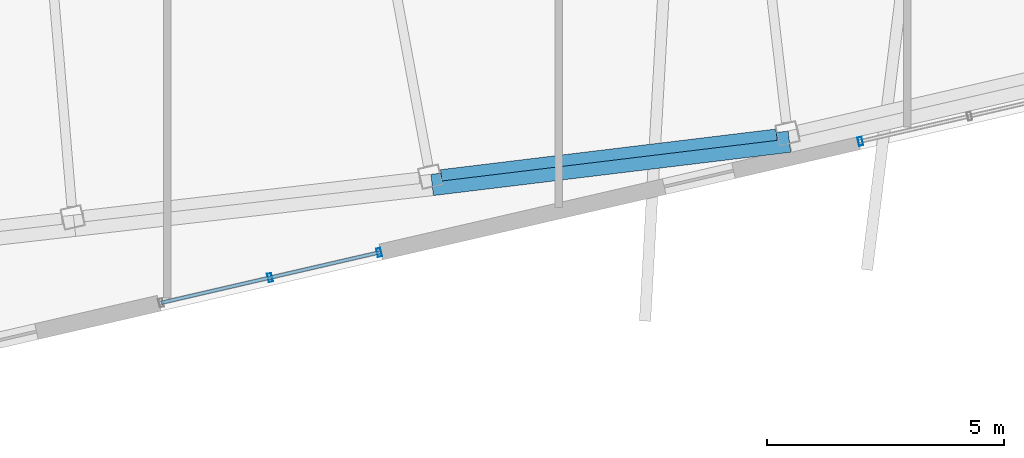
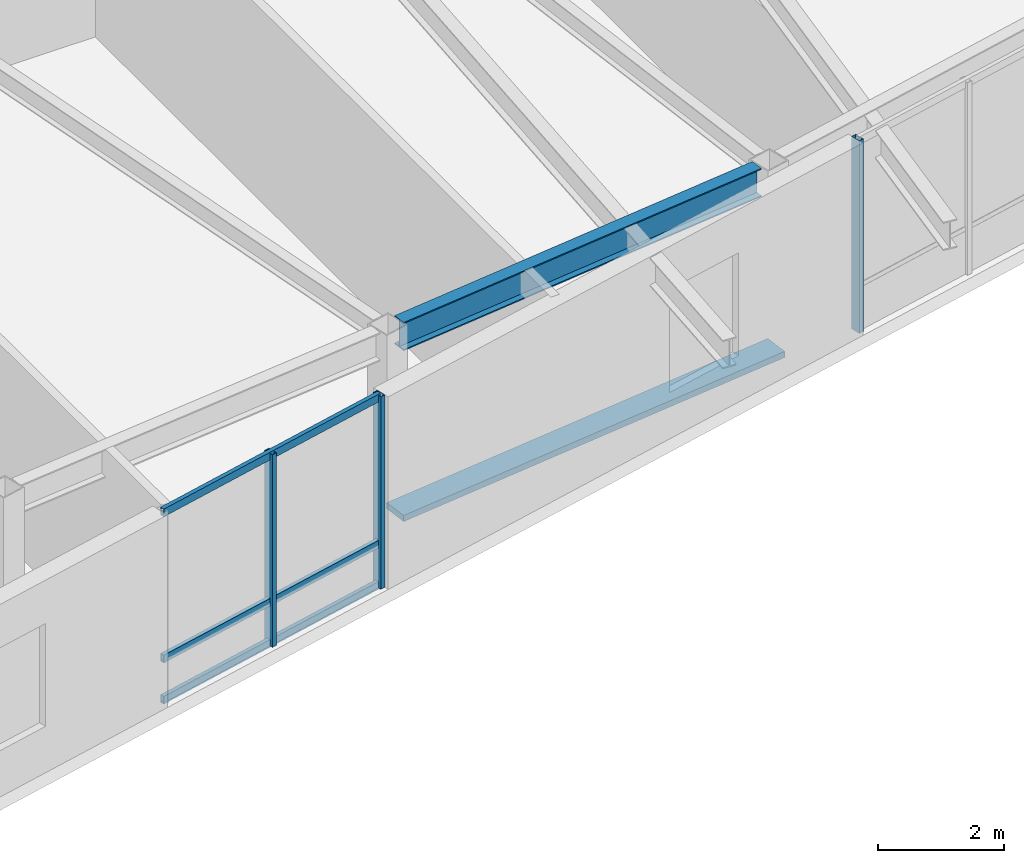
# One storey, part 7 of 24: 7 members, 1 beam, 2 elements without a shape of their own.
"""IFC4 building model written with IfcOpenShell, lengths in metres."""

from ifc_helpers import new_model, si_unit, direction, frame, origin, origin_2d, place, context, subcontext, project, spatial, rectangle, hollow_rectangle, i_section, extrude, material, layer, layer_set, material_profile, profile_set, type_object, element, aggregate, save


model = new_model("IFC4")

# Units and contexts
model_context = context("Model", 3, precision=1e-05, world=origin(), true_north=direction((0.0, 1.0)))
body_context = subcontext(model_context, "Body", "Model", "MODEL_VIEW")
ifc_project = project(units=[si_unit("LENGTHUNIT", "METRE"), si_unit("AREAUNIT", "SQUARE_METRE"), si_unit("VOLUMEUNIT", "CUBIC_METRE"), si_unit("PLANEANGLEUNIT", "RADIAN"), si_unit("MASSUNIT", "GRAM", prefix="KILO")], contexts=[model_context])

# Site, building, storey
site_placement = place(None, origin())
site = spatial("IfcSite", under=ifc_project, at=site_placement, CompositionType="ELEMENT")
building_placement = place(site_placement, origin())
building = spatial("IfcBuilding", under=site, at=building_placement, Name="Tavrogorsk Clinical Tower", CompositionType="ELEMENT")
storey_placement = place(building_placement, frame((0.0, 0.0, 321.0)))
storey = spatial("IfcBuildingStorey", under=building, at=storey_placement, Name="L75", CompositionType="ELEMENT", Elevation=321.0)

# Member
ifc_material_1 = material(Name="Anodised aluminium alloy AW-6063", Category="aluminium")
ifc_material_profile_1 = material_profile(ifc_material_1, rectangle(XDim=0.449951171875, YDim=0.1201171875, at=origin_2d()), Name="ALU-SUNSHADE-450x120")
ifc_profile_set_1 = profile_set([ifc_material_profile_1], Name="Anodised aluminium alloy AW-6063")
member_type_1 = type_object("IfcMemberType", Name="ChicagoSunshade_450x120", PredefinedType="USERDEFINED", material=ifc_profile_set_1)
member_1_placement = place(storey_placement, frame((-1.217041015625, -23.485107421875, 0.179931640625), z_axis=(0.992736345015, 0.120310221037, 0.0), x_axis=(-0.120310221037, 0.992736345015, 0.0)))
element("IfcMember", 1, at=member_1_placement, inside=storey, type_object=member_type_1, Name="L75 South Aluminium Sunshade S4", ObjectType="SUNSHADE", PredefinedType="USERDEFINED", context=body_context, shape_type="SweptSolid", body=[
    extrude(rectangle(XDim=0.449951171875, YDim=0.1201171875, at=origin_2d()), origin(), (0.0, 0.0, 1.0), 7.58544921875),
])

# Curtain wall, members
ifc_material_2 = material(Name="Anodised aluminium and triple IGU glazing", Category="aluminium")
ifc_layer = layer(ifc_material_2, 0.179931640625)
ifc_layer_set = layer_set([ifc_layer], Name="Anodised aluminium and triple IGU glazing")
curtain_wall_type = type_object("IfcCurtainWallType", Name="CW3_SouthSlot", PredefinedType="NOTDEFINED", material=ifc_layer_set)
curtain_wall_1_placement = place(storey_placement, origin())
curtain_wall_1 = element("IfcCurtainWall", 2, at=curtain_wall_1_placement, inside=storey, type_object=curtain_wall_type, Name="L75 Curtain Wall CW-L75-S-SLOT-1", PredefinedType="NOTDEFINED")
ifc_material_3 = material(Name="Anodised aluminium alloy AW-6060", Category="aluminium")
ifc_material_profile_2 = material_profile(ifc_material_3, hollow_rectangle(XDim=0.090087890625, YDim=0.179931640625, WallThickness=0.00634765625, at=origin_2d()), Name="RHS-180x90x6.3")
ifc_profile_set_2 = profile_set([ifc_material_profile_2], Name="Anodised aluminium alloy AW-6060")
member_type_2 = type_object("IfcMemberType", Name="CwMullion_180x90", PredefinedType="MULLION", material=ifc_profile_set_2)
member_2_placement = place(storey_placement, frame((-4.633544921875, -25.438232421875, 0.0), z_axis=(0.0, 0.0, 1.0), x_axis=(0.974370057377, 0.224951086434, 0.0)))
member_2 = element("IfcMember", 3, at=member_2_placement, type_object=member_type_2, Name="CW-L75-S-SLOT-1 Mullion 2", PredefinedType="MULLION", context=body_context, shape_type="SweptSolid", body=[
    extrude(hollow_rectangle(XDim=0.090087890625, YDim=0.179931640625, WallThickness=0.00634765625, at=origin_2d()), origin(), (0.0, 0.0, 1.0), 3.739990234375),
])
member_3_placement = place(storey_placement, frame((-2.3349609375, -24.90771484375, 0.0), z_axis=(0.0, 0.0, 1.0), x_axis=(0.974370057377, 0.224951086434, 0.0)))
member_3 = element("IfcMember", 4, at=member_3_placement, type_object=member_type_2, Name="CW-L75-S-SLOT-1 Mullion 3", PredefinedType="MULLION", context=body_context, shape_type="SweptSolid", body=[
    extrude(hollow_rectangle(XDim=0.090087890625, YDim=0.179931640625, WallThickness=0.00634765625, at=origin_2d()), origin(), (0.0, 0.0, 1.0), 3.739990234375),
])

# Curtain wall, member
curtain_wall_2_placement = place(storey_placement, origin())
curtain_wall_2 = element("IfcCurtainWall", 5, at=curtain_wall_2_placement, inside=storey, type_object=curtain_wall_type, Name="L75 Curtain Wall CW-L75-S-SLOT-2", PredefinedType="NOTDEFINED")
member_4_placement = place(storey_placement, frame((7.80810546875, -22.56591796875, 0.0), z_axis=(0.0, 0.0, 1.0), x_axis=(0.974370057377, 0.224951086434, 0.0)))
member_4 = element("IfcMember", 6, at=member_4_placement, type_object=member_type_2, Name="CW-L75-S-SLOT-2 Mullion 1", PredefinedType="MULLION", context=body_context, shape_type="SweptSolid", body=[
    extrude(hollow_rectangle(XDim=0.090087890625, YDim=0.179931640625, WallThickness=0.00634765625, at=origin_2d()), origin(), (0.0, 0.0, 1.0), 3.739990234375),
])
aggregate(curtain_wall_2, [member_4])

# Member
ifc_material_4 = material(Name="Anodised aluminium alloy AW-6060", Category="aluminium")
ifc_material_profile_3 = material_profile(ifc_material_4, hollow_rectangle(XDim=0.074951171875, YDim=0.14990234375, WallThickness=0.0048828125, at=origin_2d()), Name="RHS-150x75x5")
ifc_profile_set_3 = profile_set([ifc_material_profile_3], Name="Anodised aluminium alloy AW-6060")
member_type_3 = type_object("IfcMemberType", Name="CwTransom_150x75", PredefinedType="USERDEFINED", material=ifc_profile_set_3)
member_5_placement = place(storey_placement, frame((-6.93212890625, -25.968994140625, 0.050048828125), z_axis=(0.974372877948, 0.22493886885, 0.0), x_axis=(-0.22493886885, 0.974372877948, 0.0)))
member_5 = element("IfcMember", 7, at=member_5_placement, type_object=member_type_3, Name="CW-L75-S-SLOT-1 Transom 1", ObjectType="TRANSOM", PredefinedType="USERDEFINED", context=body_context, shape_type="SweptSolid", body=[
    extrude(hollow_rectangle(XDim=0.074951171875, YDim=0.14990234375, WallThickness=0.0048828125, at=origin_2d()), origin(), (0.0, 0.0, 1.0), 4.718017578125),
])

member_6_placement = place(storey_placement, frame((-6.93212890625, -25.968994140625, 0.85009765625), z_axis=(0.974372877948, 0.22493886885, 0.0), x_axis=(-0.22493886885, 0.974372877948, 0.0)))
member_6 = element("IfcMember", 8, at=member_6_placement, type_object=member_type_3, Name="CW-L75-S-SLOT-1 Transom 2", ObjectType="TRANSOM", PredefinedType="USERDEFINED", context=body_context, shape_type="SweptSolid", body=[
    extrude(hollow_rectangle(XDim=0.074951171875, YDim=0.14990234375, WallThickness=0.0048828125, at=origin_2d()), origin(), (0.0, 0.0, 1.0), 4.718017578125),
])

member_7_placement = place(storey_placement, frame((-6.93212890625, -25.968994140625, 3.68994140625), z_axis=(0.974372877948, 0.22493886885, 0.0), x_axis=(-0.22493886885, 0.974372877948, 0.0)))
member_7 = element("IfcMember", 9, at=member_7_placement, type_object=member_type_3, Name="CW-L75-S-SLOT-1 Transom 3", ObjectType="TRANSOM", PredefinedType="USERDEFINED", context=body_context, shape_type="SweptSolid", body=[
    extrude(hollow_rectangle(XDim=0.074951171875, YDim=0.14990234375, WallThickness=0.0048828125, at=origin_2d()), origin(), (0.0, 0.0, 1.0), 4.718017578125),
])

aggregate(curtain_wall_1, [member_2, member_3, member_5, member_6, member_7])

# Beam
ifc_material_5 = material(Name="Structural steel S390", Category="steel")
ifc_material_profile_4 = material_profile(ifc_material_5, i_section(OverallWidth=0.239990234375, OverallDepth=0.550048828125, WebThickness=0.013916015625, FlangeThickness=0.02197265625, at=origin_2d()), Name="B-550x240x14x22")
ifc_profile_set_4 = profile_set([ifc_material_profile_4], Name="Structural steel S390")
beam_type = type_object("IfcBeamType", Name="SpandrelBeam_B550", PredefinedType="SPANDREL", material=ifc_profile_set_4)
beam_placement = place(storey_placement, frame((-1.026123046875, -23.28173828125, 3.465087890625), z_axis=(0.992733657897, 0.120332391639, 0.0), x_axis=(-0.120332391639, 0.992733657897, 0.0)))
element("IfcBeam", 10, at=beam_placement, inside=storey, type_object=beam_type, Name="L75 Perimeter Spandrel S4-S5", PredefinedType="SPANDREL", context=body_context, shape_type="SweptSolid", body=[
    extrude(i_section(OverallWidth=0.239990234375, OverallDepth=0.550048828125, WebThickness=0.013916015625, FlangeThickness=0.02197265625, at=origin_2d()), origin(), (0.0, 0.0, 1.0), 7.119384765625),
])

save(model, "model.ifc")
